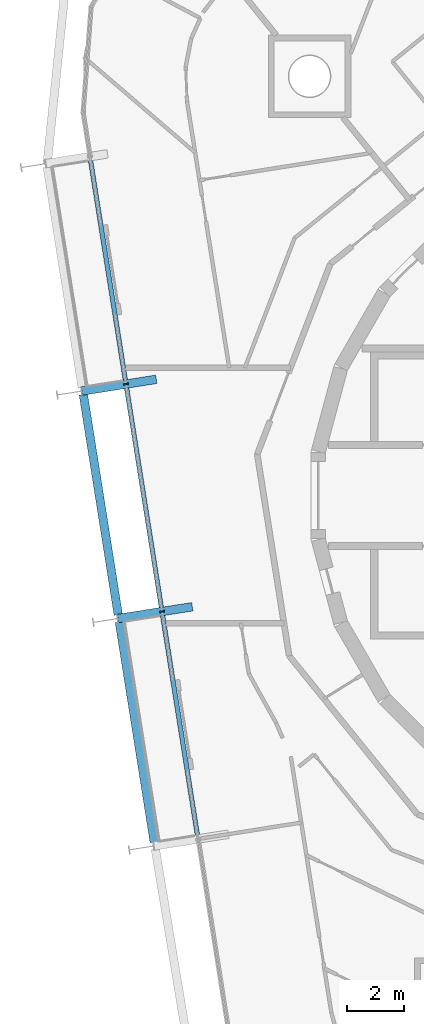
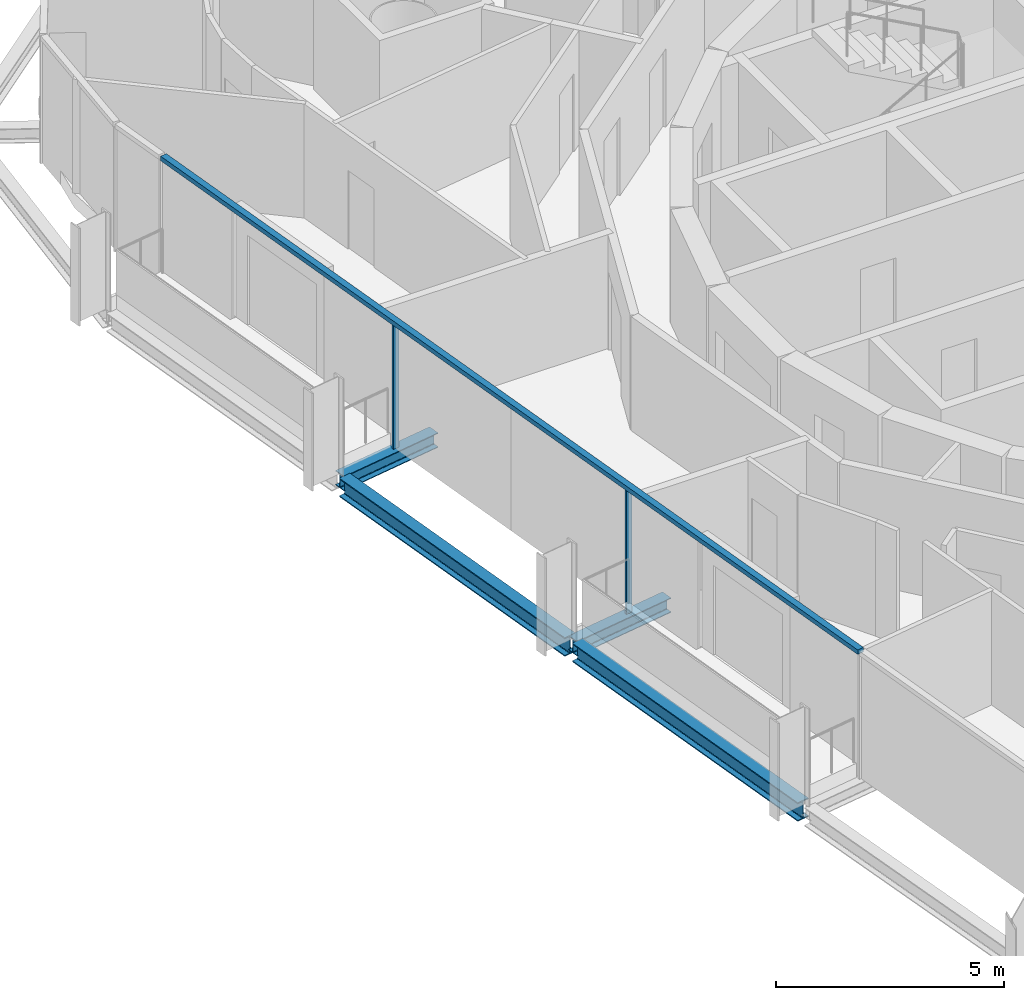
# One storey, part 3 of 17: 4 beams, 3 members, 1 element without a shape of its own.
"""IFC4 building model written with IfcOpenShell, lengths in metres."""

from ifc_helpers import new_model, si_unit, direction, frame, origin, origin_2d, place, context, subcontext, project, spatial, rectangle, i_section, extrude, material, layer, layer_set, material_profile, profile_set, type_object, element, aggregate, save


model = new_model("IFC4")

# Units and contexts
model_context = context("Model", 3, precision=1e-05, world=origin(), true_north=direction((0.0, 1.0)))
body_context = subcontext(model_context, "Body", "Model", "MODEL_VIEW")
ifc_project = project(units=[si_unit("LENGTHUNIT", "METRE"), si_unit("AREAUNIT", "SQUARE_METRE"), si_unit("VOLUMEUNIT", "CUBIC_METRE"), si_unit("PLANEANGLEUNIT", "RADIAN"), si_unit("MASSUNIT", "GRAM", prefix="KILO")], contexts=[model_context])

# Site, building, storey
site_placement = place(None, origin())
site = spatial("IfcSite", under=ifc_project, at=site_placement, CompositionType="ELEMENT")
building_placement = place(site_placement, origin())
building = spatial("IfcBuilding", under=site, at=building_placement, Name="Spindle Arch Residences", CompositionType="ELEMENT")
storey_placement = place(building_placement, frame((0.0, 0.0, 287.89990234375)))
storey = spatial("IfcBuildingStorey", under=building, at=storey_placement, Name="L74", CompositionType="ELEMENT", Elevation=287.89990234375)

# Curtain wall, members
ifc_material_1 = material(Name="Aluminium bronze unitised frame with tinted glass", Category="aluminium")
ifc_layer = layer(ifc_material_1, 0.159912109375)
ifc_layer_set = layer_set([ifc_layer], Name="CW-C typical residential unitised wall")
curtain_wall_type = type_object("IfcCurtainWallType", Name="CW-C typical residential unitised wall", PredefinedType="NOTDEFINED", material=ifc_layer_set)
curtain_wall_placement = place(storey_placement, origin())
curtain_wall = element("IfcCurtainWall", 1, at=curtain_wall_placement, inside=storey, type_object=curtain_wall_type, Name="CW-C L74 run 4", PredefinedType="NOTDEFINED")
ifc_material_2 = material(Name="Aluminium bronze anodised mullion", Category="aluminium")
ifc_material_profile_1 = material_profile(ifc_material_2, rectangle(XDim=0.159912109375, YDim=0.06005859375, at=origin_2d()), Name="MU 60x160")
ifc_profile_set_1 = profile_set([ifc_material_profile_1], Name="Aluminium bronze anodised mullion")
member_type_1 = type_object("IfcMemberType", Name="Bronze mullion 60x160", PredefinedType="MULLION", material=ifc_profile_set_1)
member_1_placement = place(storey_placement, frame((-18.417236328125, 3.923583984375, -0.3798828125), z_axis=(0.0, 0.0, 1.0), x_axis=(0.987688340595, 0.15643446504, 0.0)))
member_1 = element("IfcMember", 2, at=member_1_placement, type_object=member_type_1, Name="CW-C mullion 12", PredefinedType="MULLION", context=body_context, shape_type="SweptSolid", body=[
    extrude(rectangle(XDim=0.159912109375, YDim=0.06005859375, at=origin_2d()), origin(), (0.0, 0.0, 1.0), 3.31005859375),
])
member_2_placement = place(storey_placement, frame((-17.14892578125, -4.084228515625, -0.3798828125), z_axis=(0.0, 0.0, 1.0), x_axis=(0.987688340595, 0.15643446504, 0.0)))
member_2 = element("IfcMember", 3, at=member_2_placement, type_object=member_type_1, Name="CW-C mullion 13", PredefinedType="MULLION", context=body_context, shape_type="SweptSolid", body=[
    extrude(rectangle(XDim=0.159912109375, YDim=0.06005859375, at=origin_2d()), origin(), (0.0, 0.0, 1.0), 3.31005859375),
])
ifc_material_3 = material(Name="Aluminium bronze anodised transom", Category="aluminium")
ifc_material_profile_2 = material_profile(ifc_material_3, rectangle(XDim=0.159912109375, YDim=0.1201171875, at=origin_2d()), Name="TR 120x160")
ifc_profile_set_2 = profile_set([ifc_material_profile_2], Name="Aluminium bronze anodised transom")
member_type_2 = type_object("IfcMemberType", Name="Bronze transom 120x160", PredefinedType="USERDEFINED", material=ifc_profile_set_2)
member_3_placement = place(storey_placement, frame((-19.6806640625, 11.901611328125, 2.989990234375), z_axis=(0.156430704214, -0.987688936244, 0.0), x_axis=(0.987688936244, 0.156430704214, 0.0)))
member_3 = element("IfcMember", 4, at=member_3_placement, type_object=member_type_2, Name="CW-C transom 00", ObjectType="TRANSOM", PredefinedType="USERDEFINED", context=body_context, shape_type="SweptSolid", body=[
    extrude(rectangle(XDim=0.159912109375, YDim=0.1201171875, at=origin_2d()), origin(), (0.0, 0.0, 1.0), 24.262451171875),
])
aggregate(curtain_wall, [member_3, member_1, member_2])

# Beams
ifc_material_4 = material(Name="Steel S460ML, intumescent coating R 120", Category="steel")
ifc_material_profile_3 = material_profile(ifc_material_4, i_section(OverallWidth=0.300048828125, OverallDepth=0.5, WebThickness=0.014404296875, FlangeThickness=0.028076171875, FilletRadius=0.027099609375, at=origin_2d()), Name="HEB 500")
ifc_profile_set_3 = profile_set([ifc_material_profile_3], Name="Steel S460ML, intumescent coating R 120")
beam_type_1 = type_object("IfcBeamType", Name="Exoskeleton edge beam HEB 500", PredefinedType="BEAM", material=ifc_profile_set_3)
for number, where, z_axis, x_axis, name in (
    (5, (-19.91796875, 3.55419921875, -0.6298828125), (0.156453001738, -0.987685404492, 0.0), (0.987685404492, 0.156453001738, 0.0), "Exoskeleton edge beam 13"),
    (6, (-18.6494140625, -4.45361328125, -0.6298828125), (0.156422652856, -0.987690211389, 0.0), (0.987690211389, 0.156422652856, 0.0), "Exoskeleton edge beam 14"),
):
    element("IfcBeam", number, at=place(storey_placement, frame(where, z_axis=z_axis, x_axis=x_axis)), inside=storey, type_object=beam_type_1, Name=name, PredefinedType="BEAM", context=body_context, shape_type="SweptSolid", body=[
        extrude(i_section(OverallWidth=0.300048828125, OverallDepth=0.5, WebThickness=0.014404296875, FlangeThickness=0.028076171875, FilletRadius=0.027099609375, at=origin_2d()), origin(), (0.0, 0.0, 1.0), 7.84765625),
    ])
ifc_material_5 = material(Name="Steel S460ML, intumescent coating R 120", Category="steel")
ifc_material_profile_4 = material_profile(ifc_material_5, i_section(OverallWidth=0.300048828125, OverallDepth=0.389892578125, WebThickness=0.010986328125, FlangeThickness=0.01904296875, FilletRadius=0.027099609375, at=origin_2d()), Name="HEA 400")
ifc_profile_set_4 = profile_set([ifc_material_profile_4], Name="Steel S460ML, intumescent coating R 120")
beam_type_2 = type_object("IfcBeamType", Name="Floor outrigger HEA 400", PredefinedType="BEAM", material=ifc_profile_set_4)
beam_1_placement = place(storey_placement, frame((-19.9677734375, 3.677978515625, -0.574951171875), z_axis=(0.987686649348, 0.156445142779, 0.0), x_axis=(-0.156445142779, 0.987686649348, 0.0)))
element("IfcBeam", 7, at=beam_1_placement, inside=storey, type_object=beam_type_2, Name="Floor outrigger 13", PredefinedType="BEAM", context=body_context, shape_type="SweptSolid", body=[
    extrude(i_section(OverallWidth=0.300048828125, OverallDepth=0.389892578125, WebThickness=0.010986328125, FlangeThickness=0.01904296875, FilletRadius=0.027099609375, at=origin_2d()), origin(), (0.0, 0.0, 1.0), 2.64990234375),
])
beam_2_placement = place(storey_placement, frame((-18.699462890625, -4.329833984375, -0.574951171875), z_axis=(0.987688904051, 0.156430907479, 0.0), x_axis=(-0.156430907479, 0.987688904051, 0.0)))
element("IfcBeam", 8, at=beam_2_placement, inside=storey, type_object=beam_type_2, Name="Floor outrigger 14", PredefinedType="BEAM", context=body_context, shape_type="SweptSolid", body=[
    extrude(i_section(OverallWidth=0.300048828125, OverallDepth=0.389892578125, WebThickness=0.010986328125, FlangeThickness=0.01904296875, FilletRadius=0.027099609375, at=origin_2d()), origin(), (0.0, 0.0, 1.0), 2.650146484375),
])

save(model, "model.ifc")
